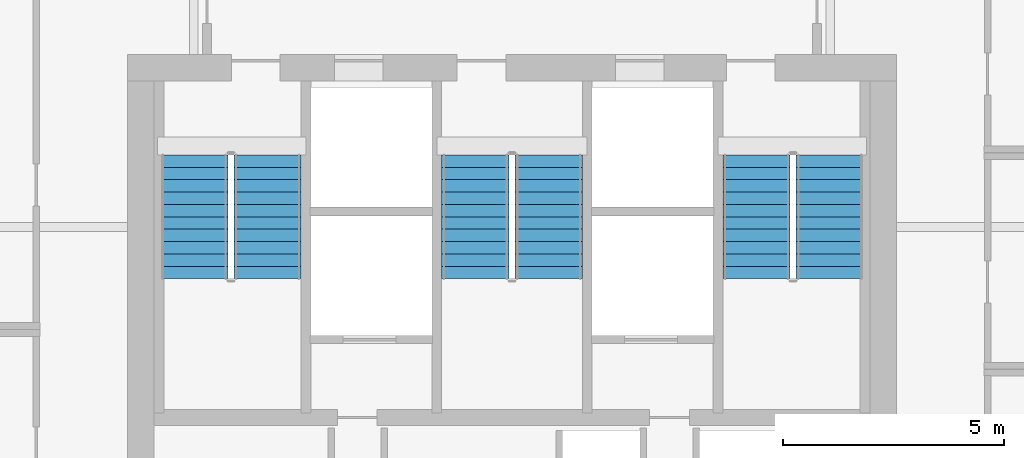
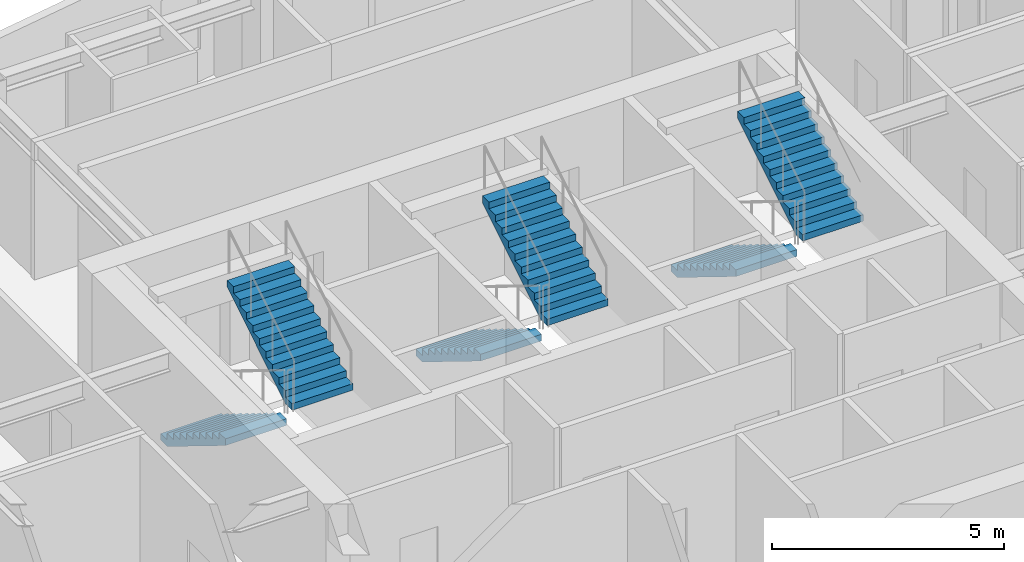
# One storey, part 10 of 11: 6 stair flights, 3 elements without a shape of their own.
"""IFC4 building model written with IfcOpenShell, lengths in metres."""

from ifc_helpers import new_model, si_unit, direction, frame, origin, place, context, subcontext, project, spatial, polyline, outline, extrude, material, type_object, element, aggregate, save


model = new_model("IFC4")

# Units and contexts
model_context = context("Model", 3, precision=1e-05, world=origin(), true_north=direction((0.0, 1.0)))
body_context = subcontext(model_context, "Body", "Model", "MODEL_VIEW")
ifc_project = project(units=[si_unit("LENGTHUNIT", "METRE"), si_unit("AREAUNIT", "SQUARE_METRE"), si_unit("VOLUMEUNIT", "CUBIC_METRE"), si_unit("PLANEANGLEUNIT", "RADIAN"), si_unit("MASSUNIT", "GRAM", prefix="KILO")], contexts=[model_context])

# Site, building, storey
site_placement = place(None, origin())
site = spatial("IfcSite", under=ifc_project, at=site_placement, CompositionType="ELEMENT")
building_placement = place(site_placement, origin())
building = spatial("IfcBuilding", under=site, at=building_placement, Name="Haolan Belvedere Tower", CompositionType="ELEMENT")
storey_placement = place(building_placement, frame((0.0, 0.0, 223.0)))
storey = spatial("IfcBuildingStorey", under=building, at=storey_placement, Name="L56", CompositionType="ELEMENT", Elevation=223.0)

# Stair, stair flights
ifc_material = material(Name="Concrete C40/50", Category="concrete")
stair_type = type_object("IfcStairType", Name="STR-DL-22R-173", PredefinedType="HALF_TURN_STAIR", material=ifc_material)
stair_1_placement = place(storey_placement, origin())
stair_1 = element("IfcStair", 1, at=stair_1_placement, inside=storey, type_object=stair_type, Name="L56 Smokeproof Core Exit Stair ST1", PredefinedType="HALF_TURN_STAIR")
stair_flight_type = type_object("IfcStairFlightType", Name="SFL-DL-11R-173", PredefinedType="STRAIGHT", material=ifc_material)
stair_flight_1_placement = place(storey_placement, frame((31.2099609375, 41.22998046875, 0.0), z_axis=(0.0, 0.0, 1.0), x_axis=(0.0, -1.0, 0.0)))
stair_flight_1 = element("IfcStairFlight", 2, at=stair_flight_1_placement, type_object=stair_flight_type, Name="ST1 flight 1", NumberOfRisers=11, NumberOfTreads=10, PredefinedType="STRAIGHT", RiserHeight=0.172727273, TreadLength=0.28, context=body_context, shape_type="SweptSolid", body=[
    extrude(outline(polyline([(0.0, 0.0), (0.0, 0.172607421875), (0.280029296875, 0.172607421875), (0.280029296875, 0.345458984375), (0.56005859375, 0.345458984375), (0.56005859375, 0.51806640625), (0.840087890625, 0.51806640625), (0.840087890625, 0.69091796875), (1.1201171875, 0.69091796875), (1.1201171875, 0.863525390625), (1.39990234375, 0.863525390625), (1.39990234375, 1.036376953125), (1.679931640625, 1.036376953125), (1.679931640625, 1.208984375), (1.9599609375, 1.208984375), (1.9599609375, 1.3818359375), (2.239990234375, 1.3818359375), (2.239990234375, 1.554443359375), (2.52001953125, 1.554443359375), (2.52001953125, 1.727294921875), (2.800048828125, 1.727294921875), (2.800048828125, 1.89990234375), (2.800048828125, 1.551025390625), (0.285400390625, 0.0), (0.0, 0.0)])), frame((0.0, 0.760009765625, 0.0), z_axis=(0.0, -1.0, 0.0), x_axis=(1.0, 0.0, 0.0)), (0.0, 0.0, 1.0), 1.52001953125),
])
stair_flight_2_placement = place(storey_placement, frame((32.8701171875, 38.429931640625, 1.89990234375), z_axis=(0.0, 0.0, 1.0), x_axis=(0.0, 1.0, 0.0)))
stair_flight_2 = element("IfcStairFlight", 3, at=stair_flight_2_placement, type_object=stair_flight_type, Name="ST1 flight 2", NumberOfRisers=11, NumberOfTreads=10, PredefinedType="STRAIGHT", RiserHeight=0.172727273, TreadLength=0.28, context=body_context, shape_type="SweptSolid", body=[
    extrude(outline(polyline([(0.0, 0.0), (0.0, 0.172607421875), (0.280029296875, 0.172607421875), (0.280029296875, 0.345458984375), (0.56005859375, 0.345458984375), (0.56005859375, 0.51806640625), (0.840087890625, 0.51806640625), (0.840087890625, 0.69091796875), (1.1201171875, 0.69091796875), (1.1201171875, 0.863525390625), (1.39990234375, 0.863525390625), (1.39990234375, 1.036376953125), (1.679931640625, 1.036376953125), (1.679931640625, 1.208984375), (1.9599609375, 1.208984375), (1.9599609375, 1.3818359375), (2.239990234375, 1.3818359375), (2.239990234375, 1.554443359375), (2.52001953125, 1.554443359375), (2.52001953125, 1.727294921875), (2.800048828125, 1.727294921875), (2.800048828125, 1.89990234375), (2.800048828125, 1.551025390625), (0.285400390625, 0.0), (0.0, 0.0)])), frame((0.0, 0.760009765625, 0.0), z_axis=(0.0, -1.0, 0.0), x_axis=(1.0, 0.0, 0.0)), (0.0, 0.0, 1.0), 1.52001953125),
])
aggregate(stair_1, [stair_flight_1, stair_flight_2])

stair_2_placement = place(storey_placement, origin())
stair_2 = element("IfcStair", 4, at=stair_2_placement, inside=storey, type_object=stair_type, Name="L56 Smokeproof Core Exit Stair ST3", PredefinedType="HALF_TURN_STAIR")
stair_flight_3_placement = place(storey_placement, frame((37.570068359375, 41.22998046875, 0.0), z_axis=(0.0, 0.0, 1.0), x_axis=(0.0, -1.0, 0.0)))
stair_flight_3 = element("IfcStairFlight", 5, at=stair_flight_3_placement, type_object=stair_flight_type, Name="ST3 flight 1", NumberOfRisers=11, NumberOfTreads=10, PredefinedType="STRAIGHT", RiserHeight=0.172727273, TreadLength=0.28, context=body_context, shape_type="SweptSolid", body=[
    extrude(outline(polyline([(0.0, 0.0), (0.0, 0.172607421875), (0.280029296875, 0.172607421875), (0.280029296875, 0.345458984375), (0.56005859375, 0.345458984375), (0.56005859375, 0.51806640625), (0.840087890625, 0.51806640625), (0.840087890625, 0.69091796875), (1.1201171875, 0.69091796875), (1.1201171875, 0.863525390625), (1.39990234375, 0.863525390625), (1.39990234375, 1.036376953125), (1.679931640625, 1.036376953125), (1.679931640625, 1.208984375), (1.9599609375, 1.208984375), (1.9599609375, 1.3818359375), (2.239990234375, 1.3818359375), (2.239990234375, 1.554443359375), (2.52001953125, 1.554443359375), (2.52001953125, 1.727294921875), (2.800048828125, 1.727294921875), (2.800048828125, 1.89990234375), (2.800048828125, 1.551025390625), (0.285400390625, 0.0), (0.0, 0.0)])), frame((0.0, 0.760009765625, 0.0), z_axis=(0.0, -1.0, 0.0), x_axis=(1.0, 0.0, 0.0)), (0.0, 0.0, 1.0), 1.52001953125),
])
stair_flight_4_placement = place(storey_placement, frame((39.22998046875, 38.429931640625, 1.89990234375), z_axis=(0.0, 0.0, 1.0), x_axis=(0.0, 1.0, 0.0)))
stair_flight_4 = element("IfcStairFlight", 6, at=stair_flight_4_placement, type_object=stair_flight_type, Name="ST3 flight 2", NumberOfRisers=11, NumberOfTreads=10, PredefinedType="STRAIGHT", RiserHeight=0.172727273, TreadLength=0.28, context=body_context, shape_type="SweptSolid", body=[
    extrude(outline(polyline([(0.0, 0.0), (0.0, 0.172607421875), (0.280029296875, 0.172607421875), (0.280029296875, 0.345458984375), (0.56005859375, 0.345458984375), (0.56005859375, 0.51806640625), (0.840087890625, 0.51806640625), (0.840087890625, 0.69091796875), (1.1201171875, 0.69091796875), (1.1201171875, 0.863525390625), (1.39990234375, 0.863525390625), (1.39990234375, 1.036376953125), (1.679931640625, 1.036376953125), (1.679931640625, 1.208984375), (1.9599609375, 1.208984375), (1.9599609375, 1.3818359375), (2.239990234375, 1.3818359375), (2.239990234375, 1.554443359375), (2.52001953125, 1.554443359375), (2.52001953125, 1.727294921875), (2.800048828125, 1.727294921875), (2.800048828125, 1.89990234375), (2.800048828125, 1.551025390625), (0.285400390625, 0.0), (0.0, 0.0)])), frame((0.0, 0.760009765625, 0.0), z_axis=(0.0, -1.0, 0.0), x_axis=(1.0, 0.0, 0.0)), (0.0, 0.0, 1.0), 1.52001953125),
])
aggregate(stair_2, [stair_flight_3, stair_flight_4])

stair_3_placement = place(storey_placement, origin())
stair_3 = element("IfcStair", 7, at=stair_3_placement, inside=storey, type_object=stair_type, Name="L56 Smokeproof Core Exit Stair ST2", PredefinedType="HALF_TURN_STAIR")
stair_flight_5_placement = place(storey_placement, frame((43.929931640625, 41.22998046875, 0.0), z_axis=(0.0, 0.0, 1.0), x_axis=(0.0, -1.0, 0.0)))
stair_flight_5 = element("IfcStairFlight", 8, at=stair_flight_5_placement, type_object=stair_flight_type, Name="ST2 flight 1", NumberOfRisers=11, NumberOfTreads=10, PredefinedType="STRAIGHT", RiserHeight=0.172727273, TreadLength=0.28, context=body_context, shape_type="SweptSolid", body=[
    extrude(outline(polyline([(0.0, 0.0), (0.0, 0.172607421875), (0.280029296875, 0.172607421875), (0.280029296875, 0.345458984375), (0.56005859375, 0.345458984375), (0.56005859375, 0.51806640625), (0.840087890625, 0.51806640625), (0.840087890625, 0.69091796875), (1.1201171875, 0.69091796875), (1.1201171875, 0.863525390625), (1.39990234375, 0.863525390625), (1.39990234375, 1.036376953125), (1.679931640625, 1.036376953125), (1.679931640625, 1.208984375), (1.9599609375, 1.208984375), (1.9599609375, 1.3818359375), (2.239990234375, 1.3818359375), (2.239990234375, 1.554443359375), (2.52001953125, 1.554443359375), (2.52001953125, 1.727294921875), (2.800048828125, 1.727294921875), (2.800048828125, 1.89990234375), (2.800048828125, 1.551025390625), (0.285400390625, 0.0), (0.0, 0.0)])), frame((0.0, 0.760009765625, 0.0), z_axis=(0.0, -1.0, 0.0), x_axis=(1.0, 0.0, 0.0)), (0.0, 0.0, 1.0), 1.52001953125),
])
stair_flight_6_placement = place(storey_placement, frame((45.590087890625, 38.429931640625, 1.89990234375), z_axis=(0.0, 0.0, 1.0), x_axis=(0.0, 1.0, 0.0)))
stair_flight_6 = element("IfcStairFlight", 9, at=stair_flight_6_placement, type_object=stair_flight_type, Name="ST2 flight 2", NumberOfRisers=11, NumberOfTreads=10, PredefinedType="STRAIGHT", RiserHeight=0.172727273, TreadLength=0.28, context=body_context, shape_type="SweptSolid", body=[
    extrude(outline(polyline([(0.0, 0.0), (0.0, 0.172607421875), (0.280029296875, 0.172607421875), (0.280029296875, 0.345458984375), (0.56005859375, 0.345458984375), (0.56005859375, 0.51806640625), (0.840087890625, 0.51806640625), (0.840087890625, 0.69091796875), (1.1201171875, 0.69091796875), (1.1201171875, 0.863525390625), (1.39990234375, 0.863525390625), (1.39990234375, 1.036376953125), (1.679931640625, 1.036376953125), (1.679931640625, 1.208984375), (1.9599609375, 1.208984375), (1.9599609375, 1.3818359375), (2.239990234375, 1.3818359375), (2.239990234375, 1.554443359375), (2.52001953125, 1.554443359375), (2.52001953125, 1.727294921875), (2.800048828125, 1.727294921875), (2.800048828125, 1.89990234375), (2.800048828125, 1.551025390625), (0.285400390625, 0.0), (0.0, 0.0)])), frame((0.0, 0.760009765625, 0.0), z_axis=(0.0, -1.0, 0.0), x_axis=(1.0, 0.0, 0.0)), (0.0, 0.0, 1.0), 1.52001953125),
])
aggregate(stair_3, [stair_flight_5, stair_flight_6])

save(model, "model.ifc")
